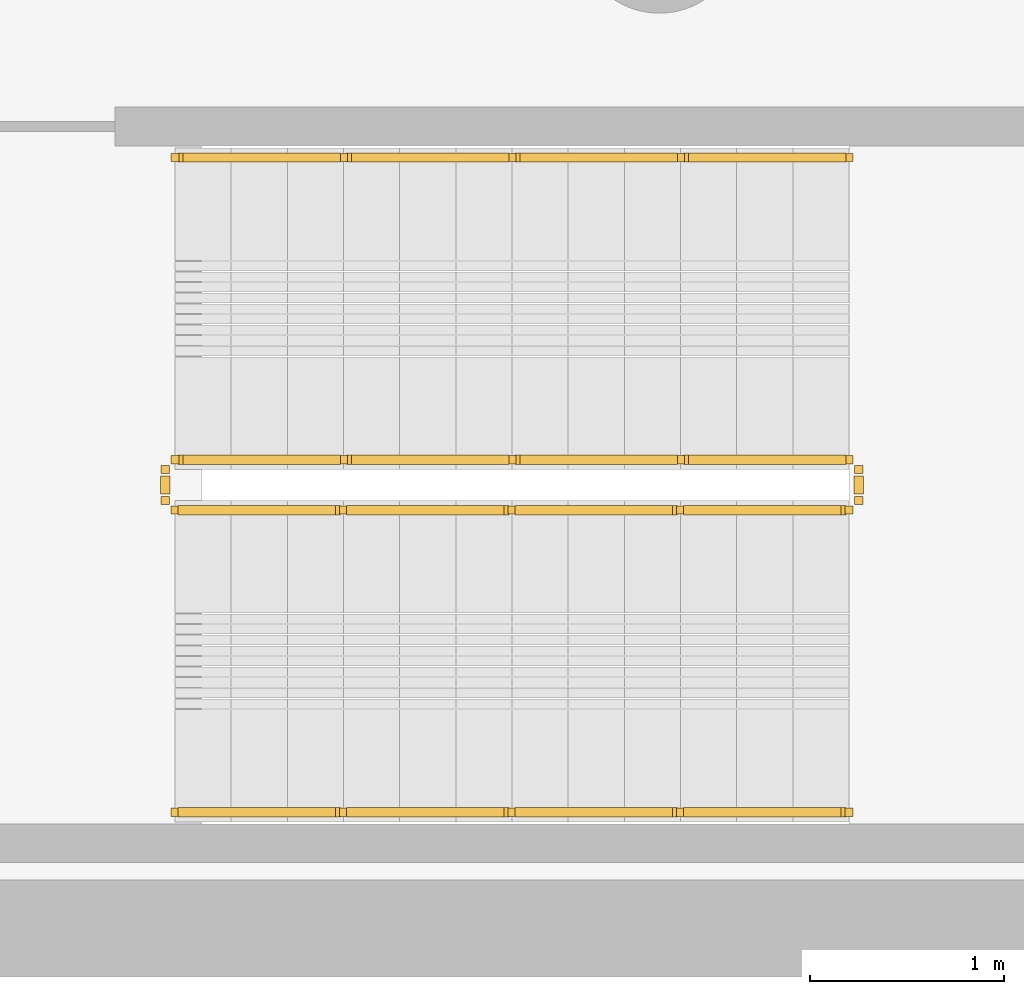
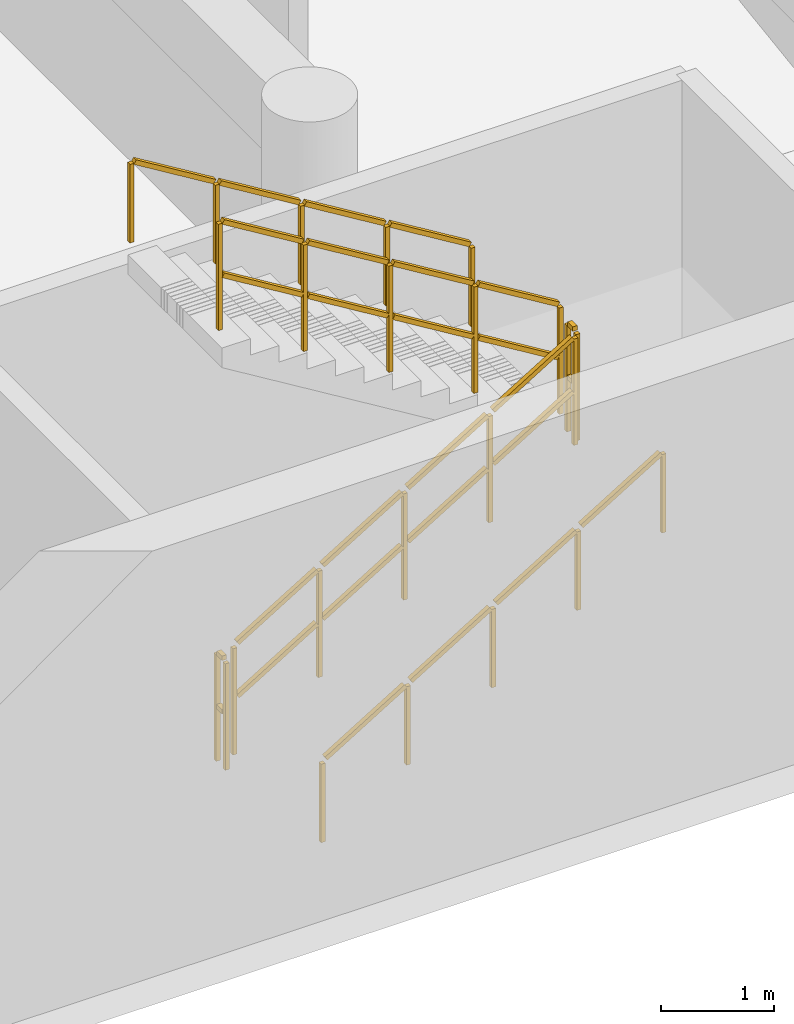
# One storey, part 12 of 12: 6 railings.
"""IFC4 building model written with IfcOpenShell, lengths in metres."""

from ifc_helpers import new_model, si_unit, direction, frame, origin, origin_2d, place, context, subcontext, project, spatial, rectangle, extrude, material, type_object, element, save


model = new_model("IFC4")

# Units and contexts
model_context = context("Model", 3, precision=1e-05, world=origin(), true_north=direction((0.0, 1.0)))
body_context = subcontext(model_context, "Body", "Model", "MODEL_VIEW")
ifc_project = project(units=[si_unit("LENGTHUNIT", "METRE"), si_unit("AREAUNIT", "SQUARE_METRE"), si_unit("VOLUMEUNIT", "CUBIC_METRE"), si_unit("PLANEANGLEUNIT", "RADIAN"), si_unit("MASSUNIT", "GRAM", prefix="KILO")], contexts=[model_context])

# Site, building, storey
site_placement = place(None, origin())
site = spatial("IfcSite", under=ifc_project, at=site_placement, CompositionType="ELEMENT")
building_placement = place(site_placement, origin())
building = spatial("IfcBuilding", under=site, at=building_placement, Name="Saelheon Loggia Tower", CompositionType="ELEMENT")
storey_placement = place(building_placement, frame((0.0, 0.0, -4.60009765625)))
storey = spatial("IfcBuildingStorey", under=building, at=storey_placement, Name="B1", CompositionType="ELEMENT", Elevation=-4.60009765625)

# Railings
ifc_material_1 = material(Name="Galvanised Steel S275 Stairwell Guardrail", Category="steel")
railing_type_1 = type_object("IfcRailingType", Name="Guard_StairWell_RL_STG", PredefinedType="GUARDRAIL", material=ifc_material_1)
railing_1_placement = place(storey_placement, frame((65.85009765625, 2.409912109375, 0.177001953125)))
element("IfcRailing", 1, at=railing_1_placement, inside=storey, type_object=railing_type_1, Name="B1 ST4 stair guard 1", PredefinedType="GUARDRAIL", context=body_context, shape_type="SweptSolid", body=[
    extrude(rectangle(XDim=0.048095703125, YDim=0.048095703125, at=origin_2d()), frame((0.0283203125, 0.0, 1.193115234375), z_axis=(0.853675385439, 0.0, 0.520805468765), x_axis=(0.0, 1.0, 0.0)), (0.0, 0.0, 1.0), 0.95263671875),
    extrude(rectangle(XDim=0.048095703125, YDim=0.048095703125, at=origin_2d()), frame((0.0283203125, 0.0, 0.6171875), z_axis=(0.853675385439, 0.0, 0.520805468765), x_axis=(0.0, 1.0, 0.0)), (0.0, 0.0, 1.0), 0.95263671875),
    extrude(rectangle(XDim=0.048095703125, YDim=0.048095703125, at=origin_2d()), frame((0.8984375, 0.0, 1.723876953125), z_axis=(0.853675385439, 0.0, 0.520805468765), x_axis=(0.0, 1.0, 0.0)), (0.0, 0.0, 1.0), 0.95263671875),
    extrude(rectangle(XDim=0.048095703125, YDim=0.048095703125, at=origin_2d()), frame((0.8984375, 0.0, 1.14794921875), z_axis=(0.853675385439, 0.0, 0.520805468765), x_axis=(0.0, 1.0, 0.0)), (0.0, 0.0, 1.0), 0.95263671875),
    extrude(rectangle(XDim=0.048095703125, YDim=0.048095703125, at=origin_2d()), frame((1.768310546875, 0.0, 2.254638671875), z_axis=(0.853675385439, 0.0, 0.520805468765), x_axis=(0.0, 1.0, 0.0)), (0.0, 0.0, 1.0), 0.95263671875),
    extrude(rectangle(XDim=0.048095703125, YDim=0.048095703125, at=origin_2d()), frame((1.768310546875, 0.0, 1.6787109375), z_axis=(0.853675385439, 0.0, 0.520805468765), x_axis=(0.0, 1.0, 0.0)), (0.0, 0.0, 1.0), 0.95263671875),
    extrude(rectangle(XDim=0.048095703125, YDim=0.048095703125, at=origin_2d()), frame((2.638427734375, 0.0, 2.785400390625), z_axis=(0.853675385439, 0.0, 0.520805468765), x_axis=(0.0, 1.0, 0.0)), (0.0, 0.0, 1.0), 0.95263671875),
    extrude(rectangle(XDim=0.048095703125, YDim=0.048095703125, at=origin_2d()), frame((2.638427734375, 0.0, 2.20947265625), z_axis=(0.853675385439, 0.0, 0.520805468765), x_axis=(0.0, 1.0, 0.0)), (0.0, 0.0, 1.0), 0.95263671875),
    extrude(rectangle(XDim=0.0419921875, YDim=0.0419921875, at=origin_2d()), origin(), (0.0, 0.0, 1.0), 1.14794921875),
    extrude(rectangle(XDim=0.0419921875, YDim=0.0419921875, at=origin_2d()), frame((0.8701171875, 0.0, 0.53076171875)), (0.0, 0.0, 1.0), 1.14794921875),
    extrude(rectangle(XDim=0.0419921875, YDim=0.0419921875, at=origin_2d()), frame((1.739990234375, 0.0, 1.0615234375)), (0.0, 0.0, 1.0), 1.14794921875),
    extrude(rectangle(XDim=0.0419921875, YDim=0.0419921875, at=origin_2d()), frame((2.60986328125, 0.0, 1.59228515625)), (0.0, 0.0, 1.0), 1.14794921875),
    extrude(rectangle(XDim=0.0419921875, YDim=0.0419921875, at=origin_2d()), frame((3.47998046875, 0.0, 2.123046875)), (0.0, 0.0, 1.0), 1.14794921875),
])
railing_2_placement = place(storey_placement, frame((69.3798828125, 2.4599609375, 2.300048828125)))
element("IfcRailing", 2, at=railing_2_placement, inside=storey, type_object=railing_type_1, Name="B1 ST4 stair guard 2", PredefinedType="GUARDRAIL", context=body_context, shape_type="SweptSolid", body=[
    extrude(rectangle(XDim=0.048095703125, YDim=0.048095703125, at=origin_2d()), frame((0.0, 0.033203125, 1.17578125), z_axis=(0.0, 1.0, 0.0), x_axis=(-1.0, 0.0, 0.0)), (0.0, 0.0, 1.0), 0.09375),
    extrude(rectangle(XDim=0.048095703125, YDim=0.048095703125, at=origin_2d()), frame((0.0, 0.033203125, 0.60009765625), z_axis=(0.0, 1.0, 0.0), x_axis=(-1.0, 0.0, 0.0)), (0.0, 0.0, 1.0), 0.09375),
    extrude(rectangle(XDim=0.0419921875, YDim=0.0419921875, at=origin_2d()), origin(), (0.0, 0.0, 1.0), 1.14794921875),
    extrude(rectangle(XDim=0.0419921875, YDim=0.0419921875, at=origin_2d()), frame((0.0, 0.16015625, 0.0)), (0.0, 0.0, 1.0), 1.14794921875),
])
railing_3_placement = place(storey_placement, frame((69.330078125, 2.669921875, 2.47705078125)))
element("IfcRailing", 3, at=railing_3_placement, inside=storey, type_object=railing_type_1, Name="B1 ST4 stair guard 3", PredefinedType="GUARDRAIL", context=body_context, shape_type="SweptSolid", body=[
    extrude(rectangle(XDim=0.048095703125, YDim=0.048095703125, at=origin_2d()), frame((-0.0283203125, 0.0, 1.193115234375), z_axis=(-0.853675385439, 0.0, 0.520805468765), x_axis=(0.0, -1.0, 0.0)), (0.0, 0.0, 1.0), 0.95263671875),
    extrude(rectangle(XDim=0.048095703125, YDim=0.048095703125, at=origin_2d()), frame((-0.0283203125, 0.0, 0.6171875), z_axis=(-0.853675385439, 0.0, 0.520805468765), x_axis=(0.0, -1.0, 0.0)), (0.0, 0.0, 1.0), 0.95263671875),
    extrude(rectangle(XDim=0.048095703125, YDim=0.048095703125, at=origin_2d()), frame((-0.8984375, 0.0, 1.723876953125), z_axis=(-0.853675385439, 0.0, 0.520805468765), x_axis=(0.0, -1.0, 0.0)), (0.0, 0.0, 1.0), 0.95263671875),
    extrude(rectangle(XDim=0.048095703125, YDim=0.048095703125, at=origin_2d()), frame((-0.8984375, 0.0, 1.14794921875), z_axis=(-0.853675385439, 0.0, 0.520805468765), x_axis=(0.0, -1.0, 0.0)), (0.0, 0.0, 1.0), 0.95263671875),
    extrude(rectangle(XDim=0.048095703125, YDim=0.048095703125, at=origin_2d()), frame((-1.768310546875, 0.0, 2.254638671875), z_axis=(-0.853675385439, 0.0, 0.520805468765), x_axis=(0.0, -1.0, 0.0)), (0.0, 0.0, 1.0), 0.95263671875),
    extrude(rectangle(XDim=0.048095703125, YDim=0.048095703125, at=origin_2d()), frame((-1.768310546875, 0.0, 1.6787109375), z_axis=(-0.853675385439, 0.0, 0.520805468765), x_axis=(0.0, -1.0, 0.0)), (0.0, 0.0, 1.0), 0.95263671875),
    extrude(rectangle(XDim=0.048095703125, YDim=0.048095703125, at=origin_2d()), frame((-2.638427734375, 0.0, 2.785400390625), z_axis=(-0.853675385439, 0.0, 0.520805468765), x_axis=(0.0, -1.0, 0.0)), (0.0, 0.0, 1.0), 0.95263671875),
    extrude(rectangle(XDim=0.048095703125, YDim=0.048095703125, at=origin_2d()), frame((-2.638427734375, 0.0, 2.20947265625), z_axis=(-0.853675385439, 0.0, 0.520805468765), x_axis=(0.0, -1.0, 0.0)), (0.0, 0.0, 1.0), 0.95263671875),
    extrude(rectangle(XDim=0.0419921875, YDim=0.0419921875, at=origin_2d()), origin(), (0.0, 0.0, 1.0), 1.14794921875),
    extrude(rectangle(XDim=0.0419921875, YDim=0.0419921875, at=origin_2d()), frame((-0.8701171875, 0.0, 0.53076171875)), (0.0, 0.0, 1.0), 1.14794921875),
    extrude(rectangle(XDim=0.0419921875, YDim=0.0419921875, at=origin_2d()), frame((-1.739990234375, 0.0, 1.0615234375)), (0.0, 0.0, 1.0), 1.14794921875),
    extrude(rectangle(XDim=0.0419921875, YDim=0.0419921875, at=origin_2d()), frame((-2.60986328125, 0.0, 1.59228515625)), (0.0, 0.0, 1.0), 1.14794921875),
    extrude(rectangle(XDim=0.0419921875, YDim=0.0419921875, at=origin_2d()), frame((-3.47998046875, 0.0, 2.123046875)), (0.0, 0.0, 1.0), 1.14794921875),
])
railing_4_placement = place(storey_placement, frame((65.800048828125, 2.4599609375, 0.0)))
element("IfcRailing", 4, at=railing_4_placement, inside=storey, type_object=railing_type_1, Name="B1 ST4 stair guard 4", PredefinedType="GUARDRAIL", context=body_context, shape_type="SweptSolid", body=[
    extrude(rectangle(XDim=0.048095703125, YDim=0.048095703125, at=origin_2d()), frame((0.0, 0.033203125, 1.17578125), z_axis=(0.0, 1.0, 0.0), x_axis=(-1.0, 0.0, 0.0)), (0.0, 0.0, 1.0), 0.09375),
    extrude(rectangle(XDim=0.048095703125, YDim=0.048095703125, at=origin_2d()), frame((0.0, 0.033203125, 0.60009765625), z_axis=(0.0, 1.0, 0.0), x_axis=(-1.0, 0.0, 0.0)), (0.0, 0.0, 1.0), 0.09375),
    extrude(rectangle(XDim=0.0419921875, YDim=0.0419921875, at=origin_2d()), origin(), (0.0, 0.0, 1.0), 1.14794921875),
    extrude(rectangle(XDim=0.0419921875, YDim=0.0419921875, at=origin_2d()), frame((0.0, 0.16015625, 0.0)), (0.0, 0.0, 1.0), 1.14794921875),
])
ifc_material_2 = material(Name="Stainless Steel 304 Tubular Handrail", Category="steel")
railing_type_2 = type_object("IfcRailingType", Name="Handrail_Stair_RL_HR1", PredefinedType="HANDRAIL", material=ifc_material_2)
railing_5_placement = place(storey_placement, frame((65.85009765625, 0.85009765625, 0.177001953125)))
element("IfcRailing", 5, at=railing_5_placement, inside=storey, type_object=railing_type_2, Name="B1 ST4 stair handrail 1", PredefinedType="HANDRAIL", context=body_context, shape_type="SweptSolid", body=[
    extrude(rectangle(XDim=0.048095703125, YDim=0.048095703125, at=origin_2d()), frame((0.0283203125, 0.0, 0.89306640625), z_axis=(0.853675385439, 0.0, 0.520805468765), x_axis=(0.0, 1.0, 0.0)), (0.0, 0.0, 1.0), 0.95263671875),
    extrude(rectangle(XDim=0.048095703125, YDim=0.048095703125, at=origin_2d()), frame((0.8984375, 0.0, 1.423828125), z_axis=(0.853675385439, 0.0, 0.520805468765), x_axis=(0.0, 1.0, 0.0)), (0.0, 0.0, 1.0), 0.95263671875),
    extrude(rectangle(XDim=0.048095703125, YDim=0.048095703125, at=origin_2d()), frame((1.768310546875, 0.0, 1.95458984375), z_axis=(0.853675385439, 0.0, 0.520805468765), x_axis=(0.0, 1.0, 0.0)), (0.0, 0.0, 1.0), 0.95263671875),
    extrude(rectangle(XDim=0.048095703125, YDim=0.048095703125, at=origin_2d()), frame((2.638427734375, 0.0, 2.4853515625), z_axis=(0.853675385439, 0.0, 0.520805468765), x_axis=(0.0, 1.0, 0.0)), (0.0, 0.0, 1.0), 0.95263671875),
    extrude(rectangle(XDim=0.0419921875, YDim=0.0419921875, at=origin_2d()), origin(), (0.0, 0.0, 1.0), 0.847900390625),
    extrude(rectangle(XDim=0.0419921875, YDim=0.0419921875, at=origin_2d()), frame((0.8701171875, 0.0, 0.53076171875)), (0.0, 0.0, 1.0), 0.847900390625),
    extrude(rectangle(XDim=0.0419921875, YDim=0.0419921875, at=origin_2d()), frame((1.739990234375, 0.0, 1.0615234375)), (0.0, 0.0, 1.0), 0.847900390625),
    extrude(rectangle(XDim=0.0419921875, YDim=0.0419921875, at=origin_2d()), frame((2.60986328125, 0.0, 1.59228515625)), (0.0, 0.0, 1.0), 0.847900390625),
    extrude(rectangle(XDim=0.0419921875, YDim=0.0419921875, at=origin_2d()), frame((3.47998046875, 0.0, 2.123046875)), (0.0, 0.0, 1.0), 0.847900390625),
])
railing_6_placement = place(storey_placement, frame((69.330078125, 4.22998046875, 2.47705078125)))
element("IfcRailing", 6, at=railing_6_placement, inside=storey, type_object=railing_type_2, Name="B1 ST4 stair handrail 2", PredefinedType="HANDRAIL", context=body_context, shape_type="SweptSolid", body=[
    extrude(rectangle(XDim=0.048095703125, YDim=0.048095703125, at=origin_2d()), frame((-0.0283203125, 0.0, 0.89306640625), z_axis=(-0.853675385439, 0.0, 0.520805468765), x_axis=(0.0, -1.0, 0.0)), (0.0, 0.0, 1.0), 0.95263671875),
    extrude(rectangle(XDim=0.048095703125, YDim=0.048095703125, at=origin_2d()), frame((-0.8984375, 0.0, 1.423828125), z_axis=(-0.853675385439, 0.0, 0.520805468765), x_axis=(0.0, -1.0, 0.0)), (0.0, 0.0, 1.0), 0.95263671875),
    extrude(rectangle(XDim=0.048095703125, YDim=0.048095703125, at=origin_2d()), frame((-1.768310546875, 0.0, 1.95458984375), z_axis=(-0.853675385439, 0.0, 0.520805468765), x_axis=(0.0, -1.0, 0.0)), (0.0, 0.0, 1.0), 0.95263671875),
    extrude(rectangle(XDim=0.048095703125, YDim=0.048095703125, at=origin_2d()), frame((-2.638427734375, 0.0, 2.4853515625), z_axis=(-0.853675385439, 0.0, 0.520805468765), x_axis=(0.0, -1.0, 0.0)), (0.0, 0.0, 1.0), 0.95263671875),
    extrude(rectangle(XDim=0.0419921875, YDim=0.0419921875, at=origin_2d()), origin(), (0.0, 0.0, 1.0), 0.847900390625),
    extrude(rectangle(XDim=0.0419921875, YDim=0.0419921875, at=origin_2d()), frame((-0.8701171875, 0.0, 0.53076171875)), (0.0, 0.0, 1.0), 0.847900390625),
    extrude(rectangle(XDim=0.0419921875, YDim=0.0419921875, at=origin_2d()), frame((-1.739990234375, 0.0, 1.0615234375)), (0.0, 0.0, 1.0), 0.847900390625),
    extrude(rectangle(XDim=0.0419921875, YDim=0.0419921875, at=origin_2d()), frame((-2.60986328125, 0.0, 1.59228515625)), (0.0, 0.0, 1.0), 0.847900390625),
    extrude(rectangle(XDim=0.0419921875, YDim=0.0419921875, at=origin_2d()), frame((-3.47998046875, 0.0, 2.123046875)), (0.0, 0.0, 1.0), 0.847900390625),
])

save(model, "model.ifc")
